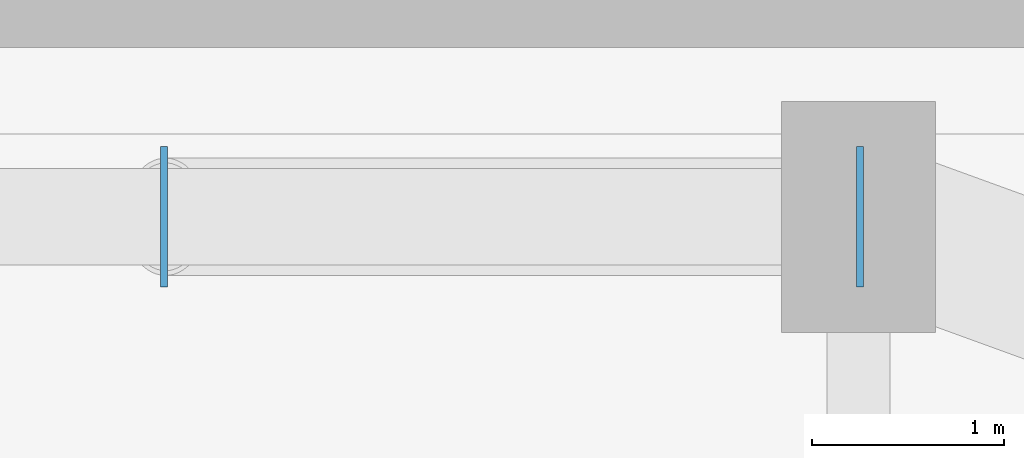
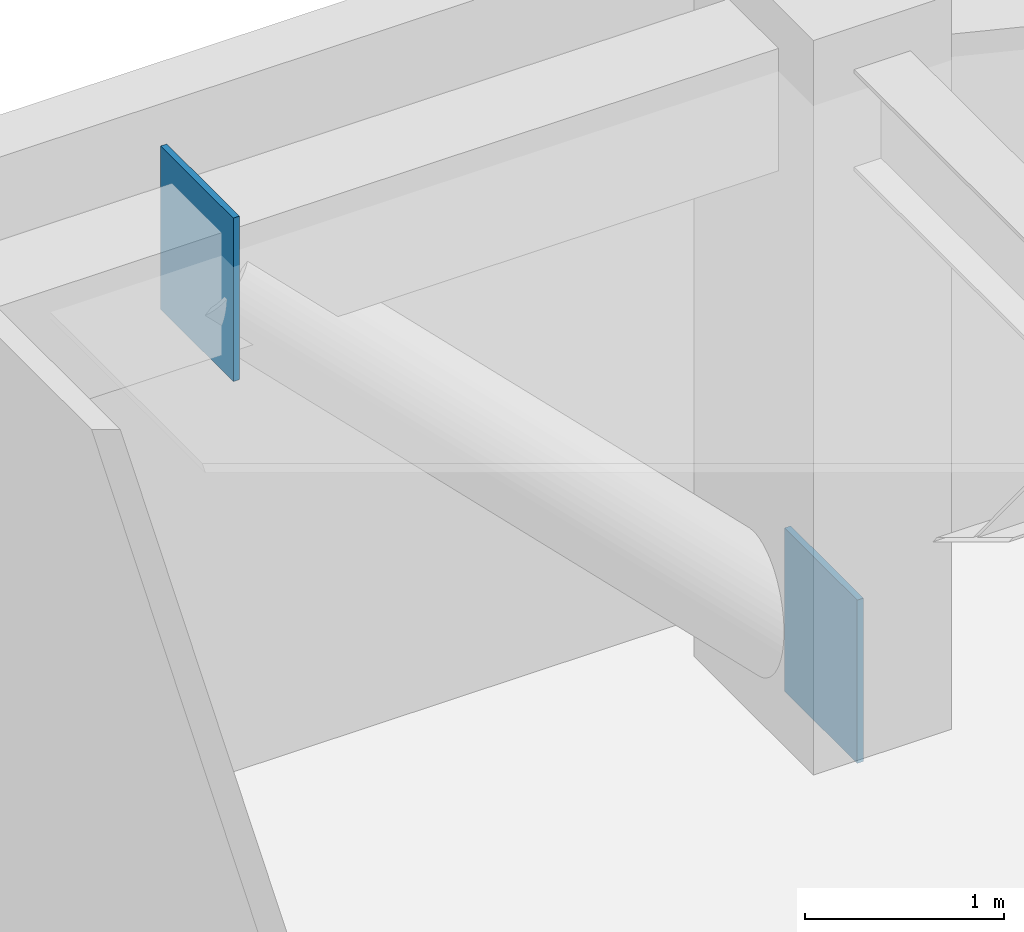
# One storey, part 13 of 23: 2 plates.
"""IFC4 building model written with IfcOpenShell, lengths in metres."""

from ifc_helpers import new_model, si_unit, direction, frame, origin, origin_2d, place, context, subcontext, project, spatial, rectangle, extrude, material, layer, layer_set, type_object, element, save


model = new_model("IFC4")

# Units and contexts
model_context = context("Model", 3, precision=1e-05, world=origin(), true_north=direction((0.0, 1.0)))
body_context = subcontext(model_context, "Body", "Model", "MODEL_VIEW")
ifc_project = project(units=[si_unit("LENGTHUNIT", "METRE"), si_unit("AREAUNIT", "SQUARE_METRE"), si_unit("VOLUMEUNIT", "CUBIC_METRE"), si_unit("PLANEANGLEUNIT", "RADIAN"), si_unit("MASSUNIT", "GRAM", prefix="KILO")], contexts=[model_context])

# Site, building, storey
site_placement = place(None, origin())
site = spatial("IfcSite", under=ifc_project, at=site_placement, CompositionType="ELEMENT")
building_placement = place(site_placement, origin())
building = spatial("IfcBuilding", under=site, at=building_placement, Name="Kiyonajd Concourse Tower", CompositionType="ELEMENT")
storey_placement = place(building_placement, frame((0.0, 0.0, 120.89990234375)))
storey = spatial("IfcBuildingStorey", under=building, at=storey_placement, Name="L31", CompositionType="ELEMENT", Elevation=120.89990234375)

# Plates
ifc_material = material(Name="Steel ASTM A572 Grade 50", Category="steel")
ifc_layer = layer(ifc_material, 0.028076171875)
ifc_layer_set = layer_set([ifc_layer], Name="Steel ASTM A572 Grade 50")
plate_type = type_object("IfcPlateType", Name="PL-CAP-450", PredefinedType="USERDEFINED", material=ifc_layer_set)
for number, where, z_axis, x_axis, name in (
    (1, (63.60791015625, 61.199951171875, -0.208251953125), (0.0, 0.0, 1.0), (1.0, 0.0, 0.0), "L31 Hollow Brace End Cap Plate PBN"),
    (2, (59.9921875, 61.199951171875, 3.3974609375), (0.0, 0.0, 1.0), (-1.0, 0.0, 0.0), "L31 Hollow Brace Top Cap Plate PBN"),
):
    element("IfcPlate", number, at=place(storey_placement, frame(where, z_axis=z_axis, x_axis=x_axis)), inside=storey, type_object=plate_type, Name=name, ObjectType="CAP PLATE", PredefinedType="USERDEFINED", context=body_context, shape_type="SweptSolid", body=[
        extrude(rectangle(XDim=0.035888671875, YDim=0.72998046875, at=origin_2d()), origin(), (0.0, 0.0, 1.0), 1.0009765625),
    ])

save(model, "model.ifc")
